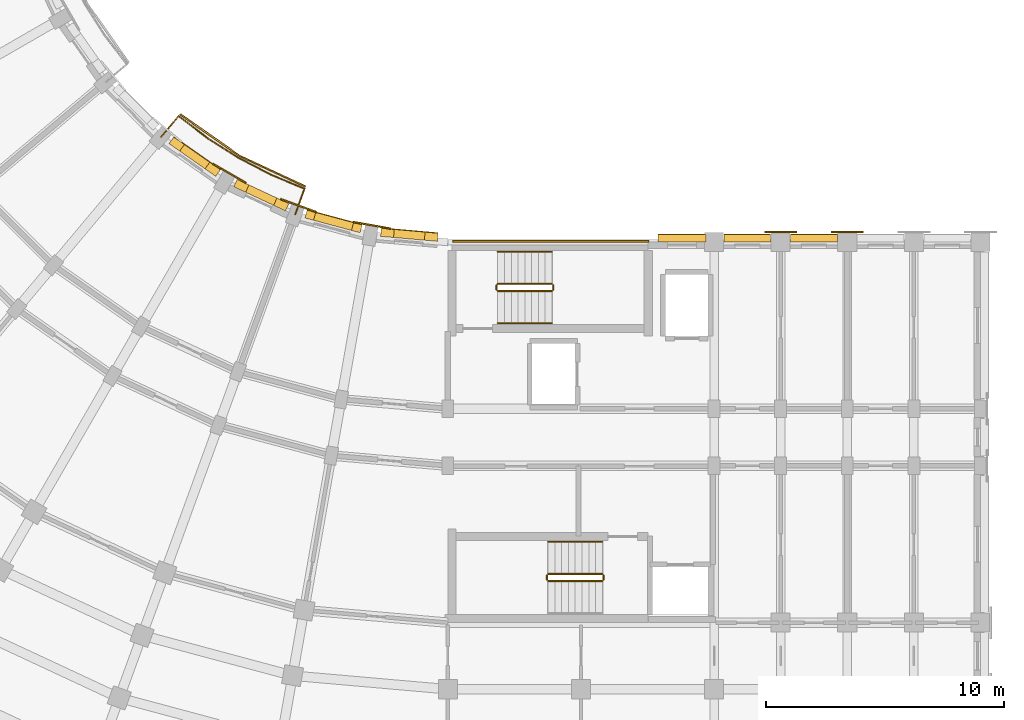
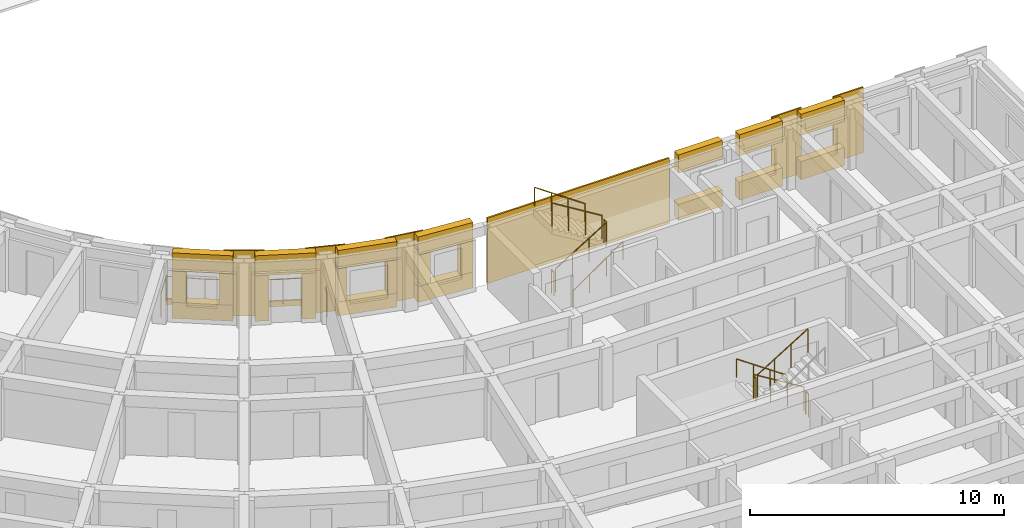
# One storey, part 61 of 76: 28 coverings, 12 railings.
"""IFC4 building model written with IfcOpenShell, lengths in metres."""

from ifc_helpers import new_model, si_unit, direction, frame, origin, origin_2d, place, context, subcontext, project, spatial, polyline, circle, outline, extrude, material, layer, layer_set, type_object, element, save


model = new_model("IFC4")

# Units and contexts
model_context = context("Model", 3, precision=1e-05, world=origin(), true_north=direction((0.0, 1.0)))
body_context = subcontext(model_context, "Body", "Model", "MODEL_VIEW")
ifc_project = project(units=[si_unit("LENGTHUNIT", "METRE"), si_unit("AREAUNIT", "SQUARE_METRE"), si_unit("VOLUMEUNIT", "CUBIC_METRE"), si_unit("PLANEANGLEUNIT", "RADIAN"), si_unit("MASSUNIT", "GRAM", prefix="KILO")], contexts=[model_context])

# Site, building, storey
site_placement = place(None, origin())
site = spatial("IfcSite", under=ifc_project, at=site_placement, CompositionType="ELEMENT")
building_placement = place(site_placement, origin())
building = spatial("IfcBuilding", under=site, at=building_placement, Name="Kiranvali Square Residences", CompositionType="ELEMENT")
storey_placement = place(building_placement, frame((0.0, 0.0, 8.699951171875)))
storey = spatial("IfcBuildingStorey", under=building, at=storey_placement, Name="L02", CompositionType="ELEMENT", Elevation=8.699951171875)

# Coverings
ifc_material_1 = material(Name="Carved Porbandar limestone classical entablature and cornice", Category="masonry")
ifc_layer_1 = layer(ifc_material_1, 0.06201171875)
ifc_layer_set_1 = layer_set([ifc_layer_1], Name="Carved Porbandar limestone classical entablature and cornice")
covering_type_1 = type_object("IfcCoveringType", Name="COV-CLAD-GBAL", PredefinedType="CLADDING", material=ifc_layer_set_1)
covering_1_placement = place(storey_placement, frame((0.0, 0.0, -0.219970703125)))
element("IfcCovering", 1, at=covering_1_placement, inside=storey, type_object=covering_type_1, Name="Block C L02 garden balcony limestone fascia 1", PredefinedType="CLADDING", context=body_context, shape_type="SweptSolid", body=[
    extrude(outline(polyline([(42.221435546875, 31.774169921875), (39.4599609375, 33.061767578125), (36.964111328125, 34.8095703125), (36.92041015625, 34.757568359375), (39.426025390625, 33.0029296875), (42.1982421875, 31.710205078125), (42.221435546875, 31.774169921875)])), origin(), (0.0, 0.0, 1.0), 0.27001953125),
])
ifc_material_2 = material(Name="Honed Porbandar limestone ashlar facade cladding", Category="masonry")
ifc_layer_2 = layer(ifc_material_2, 0.3798828125)
ifc_layer_set_2 = layer_set([ifc_layer_2], Name="Honed Porbandar limestone ashlar facade cladding")
covering_type_2 = type_object("IfcCoveringType", Name="COV-CLAD-JAMB", PredefinedType="CLADDING", material=ifc_layer_set_2)
covering_2_placement = place(storey_placement, frame((0.0, 0.0, 0.77197265625)))
element("IfcCovering", 2, at=covering_2_placement, inside=storey, type_object=covering_type_2, Name="L02 deep limestone window jamb reveal C-L02-GDN-00.L", PredefinedType="CLADDING", context=body_context, shape_type="SweptSolid", body=[
    extrude(outline(polyline([(47.791259765625, 29.777099609375), (47.244873046875, 29.824951171875), (47.21533203125, 29.486572265625), (47.76171875, 29.43896484375), (47.791259765625, 29.777099609375)])), origin(), (0.0, 0.0, 1.0), 1.5),
])
covering_3_placement = place(storey_placement, frame((0.0, 0.0, 0.77197265625)))
element("IfcCovering", 3, at=covering_3_placement, inside=storey, type_object=covering_type_2, Name="L02 deep limestone window jamb reveal C-L02-GDN-00.R", PredefinedType="CLADDING", context=body_context, shape_type="SweptSolid", body=[
    extrude(outline(polyline([(45.94970703125, 29.938232421875), (45.4033203125, 29.986083984375), (45.373779296875, 29.647705078125), (45.920166015625, 29.599853515625), (45.94970703125, 29.938232421875)])), origin(), (0.0, 0.0, 1.0), 1.5),
])
covering_4_placement = place(storey_placement, frame((0.0, 0.0, 0.672119140625)))
element("IfcCovering", 4, at=covering_4_placement, inside=storey, type_object=covering_type_2, Name="L02 deep limestone window jamb reveal C-L02-GDN-01.L", PredefinedType="CLADDING", context=body_context, shape_type="SweptSolid", body=[
    extrude(outline(polyline([(44.598388671875, 30.1279296875), (44.237548828125, 30.224609375), (44.149658203125, 29.896728515625), (44.510498046875, 29.800048828125), (44.598388671875, 30.1279296875)])), origin(), (0.0, 0.0, 1.0), 1.599853515625),
])
covering_5_placement = place(storey_placement, frame((0.0, 0.0, 0.672119140625)))
element("IfcCovering", 5, at=covering_5_placement, inside=storey, type_object=covering_type_2, Name="L02 deep limestone window jamb reveal C-L02-GDN-01.R", PredefinedType="CLADDING", context=body_context, shape_type="SweptSolid", body=[
    extrude(outline(polyline([(42.643798828125, 30.651611328125), (42.282958984375, 30.748291015625), (42.195068359375, 30.42041015625), (42.555908203125, 30.32373046875), (42.643798828125, 30.651611328125)])), origin(), (0.0, 0.0, 1.0), 1.599853515625),
])
covering_6_placement = place(storey_placement, origin())
element("IfcCovering", 6, at=covering_6_placement, inside=storey, type_object=covering_type_2, Name="L02 deep limestone window jamb reveal C-L02-GDN-02.L", PredefinedType="CLADDING", context=body_context, shape_type="SweptSolid", body=[
    extrude(outline(polyline([(41.514892578125, 31.02783203125), (41.017822265625, 31.259765625), (40.874267578125, 30.951904296875), (41.37158203125, 30.72021484375), (41.514892578125, 31.02783203125)])), origin(), (0.0, 0.0, 1.0), 2.179931640625),
])
covering_7_placement = place(storey_placement, origin())
element("IfcCovering", 7, at=covering_7_placement, inside=storey, type_object=covering_type_2, Name="L02 deep limestone window jamb reveal C-L02-GDN-02.R", PredefinedType="CLADDING", context=body_context, shape_type="SweptSolid", body=[
    extrude(outline(polyline([(39.839599609375, 31.80908203125), (39.342529296875, 32.041015625), (39.198974609375, 31.733154296875), (39.696044921875, 31.50146484375), (39.839599609375, 31.80908203125)])), origin(), (0.0, 0.0, 1.0), 2.179931640625),
])
covering_8_placement = place(storey_placement, frame((0.0, 0.0, 0.77197265625)))
element("IfcCovering", 8, at=covering_8_placement, inside=storey, type_object=covering_type_2, Name="L02 deep limestone window jamb reveal C-L02-GDN-03.L", PredefinedType="CLADDING", context=body_context, shape_type="SweptSolid", body=[
    extrude(outline(polyline([(38.634521484375, 32.44970703125), (38.185302734375, 32.76416015625), (37.990478515625, 32.486083984375), (38.43994140625, 32.171630859375), (38.634521484375, 32.44970703125)])), origin(), (0.0, 0.0, 1.0), 1.5),
])
covering_9_placement = place(storey_placement, frame((0.0, 0.0, 0.77197265625)))
element("IfcCovering", 9, at=covering_9_placement, inside=storey, type_object=covering_type_2, Name="L02 deep limestone window jamb reveal C-L02-GDN-03.R", PredefinedType="CLADDING", context=body_context, shape_type="SweptSolid", body=[
    extrude(outline(polyline([(37.120361328125, 33.509765625), (36.671142578125, 33.824462890625), (36.476318359375, 33.54638671875), (36.925537109375, 33.231689453125), (37.120361328125, 33.509765625)])), origin(), (0.0, 0.0, 1.0), 1.5),
])
ifc_layer_3 = layer(ifc_material_2, 0.06494140625)
ifc_layer_set_3 = layer_set([ifc_layer_3], Name="Honed Porbandar limestone ashlar facade cladding")
covering_type_3 = type_object("IfcCoveringType", Name="COV-CLAD-PIER", PredefinedType="CLADDING", material=ifc_layer_set_3)
covering_10_placement = place(storey_placement, frame((0.0, 0.0, 0.005126953125)))
element("IfcCovering", 10, at=covering_10_placement, inside=storey, type_object=covering_type_3, Name="Block C L02 garden stair limestone ashlar cladding", PredefinedType="CLADDING", context=body_context, shape_type="SweptSolid", body=[
    extrude(outline(polyline([(48.39990234375, 29.402099609375), (56.64990234375, 29.402099609375), (56.64990234375, 29.47998046875), (48.39990234375, 29.47998046875), (48.39990234375, 29.402099609375)])), origin(), (0.0, 0.0, 1.0), 3.139892578125),
])
ifc_layer_4 = layer(ifc_material_2, 0.050048828125)
ifc_layer_set_4 = layer_set([ifc_layer_4], Name="Honed Porbandar limestone ashlar facade cladding")
covering_type_4 = type_object("IfcCoveringType", Name="COV-CLAD-PIER-IN", PredefinedType="CLADDING", material=ifc_layer_set_4)
covering_11_placement = place(storey_placement, frame((0.0, 0.0, 0.005126953125)))
element("IfcCovering", 11, at=covering_11_placement, inside=storey, type_object=covering_type_4, Name="L02 Classical garden courtyard pilaster CLAD-PRIN-C-L02-A01", PredefinedType="CLADDING", context=body_context, shape_type="SweptSolid", body=[
    extrude(outline(polyline([(45.804443359375, 30.007568359375), (44.228759765625, 30.285400390625), (44.217041015625, 30.218994140625), (45.792724609375, 29.941162109375), (45.804443359375, 30.007568359375)])), origin(), (0.0, 0.0, 1.0), 3.139892578125),
])
covering_12_placement = place(storey_placement, frame((0.0, 0.0, 0.005126953125)))
element("IfcCovering", 12, at=covering_12_placement, inside=storey, type_object=covering_type_4, Name="L02 Classical garden courtyard pilaster CLAD-PRIN-C-L02-A02", PredefinedType="CLADDING", context=body_context, shape_type="SweptSolid", body=[
    extrude(outline(polyline([(42.681884765625, 30.699951171875), (41.17822265625, 31.2470703125), (41.1552734375, 31.183837890625), (42.65869140625, 30.636474609375), (42.681884765625, 30.699951171875)])), origin(), (0.0, 0.0, 1.0), 3.139892578125),
])
covering_13_placement = place(storey_placement, frame((0.0, 0.0, 0.005126953125)))
element("IfcCovering", 13, at=covering_13_placement, inside=storey, type_object=covering_type_4, Name="L02 Classical garden courtyard pilaster CLAD-PRIN-C-L02-A03", PredefinedType="CLADDING", context=body_context, shape_type="SweptSolid", body=[
    extrude(outline(polyline([(39.726806640625, 31.924072265625), (38.341064453125, 32.72412109375), (38.307373046875, 32.66552734375), (39.693115234375, 31.865478515625), (39.726806640625, 31.924072265625)])), origin(), (0.0, 0.0, 1.0), 3.139892578125),
])
covering_14_placement = place(storey_placement, frame((0.0, 0.0, 0.005126953125)))
element("IfcCovering", 14, at=covering_14_placement, inside=storey, type_object=covering_type_4, Name="L02 Classical limestone pilaster casing CLAD-PRA1I-C-L02-U140", PredefinedType="CLADDING", context=body_context, shape_type="SweptSolid", body=[
    extrude(outline(polyline([(61.52001953125, 29.800537109375), (62.8798828125, 29.800537109375), (62.8798828125, 29.867919921875), (61.52001953125, 29.867919921875), (61.52001953125, 29.800537109375)])), origin(), (0.0, 0.0, 1.0), 3.139892578125),
])
covering_15_placement = place(storey_placement, frame((0.0, 0.0, 0.005126953125)))
element("IfcCovering", 15, at=covering_15_placement, inside=storey, type_object=covering_type_4, Name="L02 Classical limestone pilaster casing CLAD-PRA1I-C-L02-U167", PredefinedType="CLADDING", context=body_context, shape_type="SweptSolid", body=[
    extrude(outline(polyline([(64.320068359375, 29.800537109375), (65.679931640625, 29.800537109375), (65.679931640625, 29.867919921875), (64.320068359375, 29.867919921875), (64.320068359375, 29.800537109375)])), origin(), (0.0, 0.0, 1.0), 3.139892578125),
])
ifc_layer_5 = layer(ifc_material_2, 0.360107421875)
ifc_layer_set_5 = layer_set([ifc_layer_5], Name="Honed Porbandar limestone ashlar facade cladding")
covering_type_5 = type_object("IfcCoveringType", Name="COV-CLAD-WALL", PredefinedType="CLADDING", material=ifc_layer_set_5)
covering_16_placement = place(storey_placement, frame((0.0, 0.0, 2.27197265625)))
element("IfcCovering", 16, at=covering_16_placement, inside=storey, type_object=covering_type_5, Name="L02 light limestone spandrel lintel C-L02-GDN-00", PredefinedType="CLADDING", context=body_context, shape_type="SweptSolid", body=[
    extrude(outline(polyline([(47.791259765625, 29.777099609375), (45.4033203125, 29.986083984375), (45.373779296875, 29.647705078125), (47.76171875, 29.43896484375), (47.791259765625, 29.777099609375)])), origin(), (0.0, 0.0, 1.0), 0.873046875),
])
covering_17_placement = place(storey_placement, frame((0.0, 0.0, 2.27197265625)))
element("IfcCovering", 17, at=covering_17_placement, inside=storey, type_object=covering_type_5, Name="L02 light limestone spandrel lintel C-L02-GDN-01", PredefinedType="CLADDING", context=body_context, shape_type="SweptSolid", body=[
    extrude(outline(polyline([(44.598388671875, 30.1279296875), (42.282958984375, 30.748291015625), (42.195068359375, 30.42041015625), (44.510498046875, 29.800048828125), (44.598388671875, 30.1279296875)])), origin(), (0.0, 0.0, 1.0), 0.873046875),
])
covering_18_placement = place(storey_placement, frame((0.0, 0.0, 2.179931640625)))
element("IfcCovering", 18, at=covering_18_placement, inside=storey, type_object=covering_type_5, Name="L02 light limestone spandrel lintel C-L02-GDN-02", PredefinedType="CLADDING", context=body_context, shape_type="SweptSolid", body=[
    extrude(outline(polyline([(41.514892578125, 31.02783203125), (39.342529296875, 32.041015625), (39.198974609375, 31.733154296875), (41.37158203125, 30.72021484375), (41.514892578125, 31.02783203125)])), origin(), (0.0, 0.0, 1.0), 0.965087890625),
])
covering_19_placement = place(storey_placement, frame((0.0, 0.0, 2.27197265625)))
element("IfcCovering", 19, at=covering_19_placement, inside=storey, type_object=covering_type_5, Name="L02 light limestone spandrel lintel C-L02-GDN-03", PredefinedType="CLADDING", context=body_context, shape_type="SweptSolid", body=[
    extrude(outline(polyline([(38.634521484375, 32.44970703125), (36.671142578125, 33.824462890625), (36.476318359375, 33.54638671875), (38.43994140625, 32.171630859375), (38.634521484375, 32.44970703125)])), origin(), (0.0, 0.0, 1.0), 0.873046875),
])
covering_20_placement = place(storey_placement, frame((0.0, 0.0, 2.27197265625)))
element("IfcCovering", 20, at=covering_20_placement, inside=storey, type_object=covering_type_5, Name="L02 light limestone spandrel lintel C-L02-A1IN-0", PredefinedType="CLADDING", context=body_context, shape_type="SweptSolid", body=[
    extrude(outline(polyline([(57.050048828125, 29.400390625), (59.050048828125, 29.400390625), (59.050048828125, 29.719970703125), (57.050048828125, 29.719970703125), (57.050048828125, 29.400390625)])), origin(), (0.0, 0.0, 1.0), 0.873046875),
])
covering_21_placement = place(storey_placement, frame((0.0, 0.0, 0.005126953125)))
element("IfcCovering", 21, at=covering_21_placement, inside=storey, type_object=covering_type_5, Name="L02 limestone window sill apron C-L02-A1IN-0", PredefinedType="CLADDING", context=body_context, shape_type="SweptSolid", body=[
    extrude(outline(polyline([(57.050048828125, 29.400390625), (59.050048828125, 29.400390625), (59.050048828125, 29.75), (57.050048828125, 29.75), (57.050048828125, 29.400390625)])), origin(), (0.0, 0.0, 1.0), 0.766845703125),
])
covering_22_placement = place(storey_placement, frame((0.0, 0.0, 2.130126953125)))
element("IfcCovering", 22, at=covering_22_placement, inside=storey, type_object=covering_type_5, Name="L02 light limestone spandrel lintel C-L02-A1I-0", PredefinedType="CLADDING", context=body_context, shape_type="SweptSolid", body=[
    extrude(outline(polyline([(59.820068359375, 29.400390625), (61.780029296875, 29.400390625), (61.780029296875, 29.719970703125), (59.820068359375, 29.719970703125), (59.820068359375, 29.400390625)])), origin(), (0.0, 0.0, 1.0), 1.014892578125),
])
covering_23_placement = place(storey_placement, frame((0.0, 0.0, 0.005126953125)))
element("IfcCovering", 23, at=covering_23_placement, inside=storey, type_object=covering_type_5, Name="L02 limestone window sill apron C-L02-A1I-0", PredefinedType="CLADDING", context=body_context, shape_type="SweptSolid", body=[
    extrude(outline(polyline([(59.820068359375, 29.400390625), (61.780029296875, 29.400390625), (61.780029296875, 29.75), (59.820068359375, 29.75), (59.820068359375, 29.400390625)])), origin(), (0.0, 0.0, 1.0), 0.875),
])
covering_24_placement = place(storey_placement, frame((0.0, 0.0, 2.130126953125)))
element("IfcCovering", 24, at=covering_24_placement, inside=storey, type_object=covering_type_5, Name="L02 light limestone spandrel lintel C-L02-A1I-1", PredefinedType="CLADDING", context=body_context, shape_type="SweptSolid", body=[
    extrude(outline(polyline([(62.6201171875, 29.400390625), (64.580078125, 29.400390625), (64.580078125, 29.719970703125), (62.6201171875, 29.719970703125), (62.6201171875, 29.400390625)])), origin(), (0.0, 0.0, 1.0), 1.014892578125),
])
covering_25_placement = place(storey_placement, frame((0.0, 0.0, 0.005126953125)))
element("IfcCovering", 25, at=covering_25_placement, inside=storey, type_object=covering_type_5, Name="L02 limestone window sill apron C-L02-A1I-1", PredefinedType="CLADDING", context=body_context, shape_type="SweptSolid", body=[
    extrude(outline(polyline([(62.6201171875, 29.400390625), (64.580078125, 29.400390625), (64.580078125, 29.75), (62.6201171875, 29.75), (62.6201171875, 29.400390625)])), origin(), (0.0, 0.0, 1.0), 0.875),
])
ifc_layer_6 = layer(ifc_material_2, 0.2900390625)
ifc_layer_set_6 = layer_set([ifc_layer_6], Name="Honed Porbandar limestone ashlar facade cladding")
covering_type_6 = type_object("IfcCoveringType", Name="COV-CLAD-WALL-IN", PredefinedType="CLADDING", material=ifc_layer_set_6)
covering_26_placement = place(storey_placement, frame((0.0, 0.0, 0.005126953125)))
element("IfcCovering", 26, at=covering_26_placement, inside=storey, type_object=covering_type_6, Name="L02 limestone window sill apron C-L02-GDN-00", PredefinedType="CLADDING", context=body_context, shape_type="SweptSolid", body=[
    extrude(outline(polyline([(47.7939453125, 29.806884765625), (45.406005859375, 30.015869140625), (45.373779296875, 29.647705078125), (47.76171875, 29.43896484375), (47.7939453125, 29.806884765625)])), origin(), (0.0, 0.0, 1.0), 0.766845703125),
])
covering_27_placement = place(storey_placement, frame((0.0, 0.0, 0.005126953125)))
element("IfcCovering", 27, at=covering_27_placement, inside=storey, type_object=covering_type_6, Name="L02 limestone window sill apron C-L02-GDN-01", PredefinedType="CLADDING", context=body_context, shape_type="SweptSolid", body=[
    extrude(outline(polyline([(44.606201171875, 30.156982421875), (42.290771484375, 30.77734375), (42.195068359375, 30.42041015625), (44.510498046875, 29.800048828125), (44.606201171875, 30.156982421875)])), origin(), (0.0, 0.0, 1.0), 0.6669921875),
])
covering_28_placement = place(storey_placement, frame((0.0, 0.0, 0.005126953125)))
element("IfcCovering", 28, at=covering_28_placement, inside=storey, type_object=covering_type_6, Name="L02 limestone window sill apron C-L02-GDN-03", PredefinedType="CLADDING", context=body_context, shape_type="SweptSolid", body=[
    extrude(outline(polyline([(38.65185546875, 32.47412109375), (36.688232421875, 33.84912109375), (36.476318359375, 33.54638671875), (38.43994140625, 32.171630859375), (38.65185546875, 32.47412109375)])), origin(), (0.0, 0.0, 1.0), 0.766845703125),
])

# Railings
ifc_material_3 = material(Name="Powder-coated architectural bronze balustrade", Category="steel")
railing_type_1 = type_object("IfcRailingType", Name="RL-BAL-GOLD-1200", PredefinedType="BALUSTRADE", material=ifc_material_3)
railing_1_placement = place(storey_placement, frame((41.78369140625, 30.5712890625, 0.0)))
element("IfcRailing", 29, at=railing_1_placement, inside=storey, type_object=railing_type_1, Name="Block C L02 garden balcony gold balustrade 1", PredefinedType="BALUSTRADE", context=body_context, shape_type="SweptSolid", body=[
    extrude(circle(Radius=0.02392578125, at=origin_2d()), frame((0.0, 0.0, 1.17578125), z_axis=(0.341964618562, 0.939712828289, 0.0), x_axis=(-0.939712828289, 0.341964618562, 0.0)), (0.0, 0.0, 1.0), 1.150146484375),
    extrude(circle(Radius=0.02392578125, at=origin_2d()), frame((0.393310546875, 1.080810546875, 1.17578125), z_axis=(-0.923892883829, 0.382651197843, 0.0), x_axis=(-0.382651197843, -0.923892883829, 0.0)), (0.0, 0.0, 1.0), 1.536376953125),
    extrude(circle(Radius=0.02392578125, at=origin_2d()), frame((-1.026123046875, 1.668701171875, 1.17578125), z_axis=(-0.887029366154, 0.461713009976, 0.0), x_axis=(-0.461713009976, -0.887029366154, 0.0)), (0.0, 0.0, 1.0), 1.5361328125),
    extrude(circle(Radius=0.02392578125, at=origin_2d()), frame((-2.388671875, 2.3779296875, 1.17578125), z_axis=(-0.843386539688, 0.537307309343, 0.0), x_axis=(-0.537307309343, -0.843386539688, 0.0)), (0.0, 0.0, 1.0), 1.5361328125),
    extrude(circle(Radius=0.02392578125, at=origin_2d()), frame((-3.684326171875, 3.203369140625, 1.17578125), z_axis=(-0.793314680996, 0.608811807471, 0.0), x_axis=(-0.608811807471, -0.793314680996, 0.0)), (0.0, 0.0, 1.0), 1.536376953125),
    extrude(circle(Radius=0.02392578125, at=origin_2d()), frame((-4.903076171875, 4.138671875, 1.17578125), z_axis=(-0.642853454051, -0.765989188314, 0.0), x_axis=(0.765989188314, -0.642853454051, 0.0)), (0.0, 0.0, 1.0), 1.14990234375),
    extrude(circle(Radius=0.02099609375, at=origin_2d()), origin(), (0.0, 0.0, 1.0), 1.15185546875),
    extrude(circle(Radius=0.02099609375, at=origin_2d()), frame((0.393310546875, 1.080810546875, 0.0)), (0.0, 0.0, 1.0), 1.15185546875),
    extrude(circle(Radius=0.02099609375, at=origin_2d()), frame((-0.31640625, 1.374755859375, 0.0)), (0.0, 0.0, 1.0), 1.15185546875),
    extrude(circle(Radius=0.02099609375, at=origin_2d()), frame((-1.026123046875, 1.668701171875, 0.0)), (0.0, 0.0, 1.0), 1.15185546875),
    extrude(circle(Radius=0.02099609375, at=origin_2d()), frame((-1.70751953125, 2.0234375, 0.0)), (0.0, 0.0, 1.0), 1.15185546875),
    extrude(circle(Radius=0.02099609375, at=origin_2d()), frame((-2.388671875, 2.3779296875, 0.0)), (0.0, 0.0, 1.0), 1.15185546875),
    extrude(circle(Radius=0.02099609375, at=origin_2d()), frame((-3.03662109375, 2.79052734375, 0.0)), (0.0, 0.0, 1.0), 1.15185546875),
    extrude(circle(Radius=0.02099609375, at=origin_2d()), frame((-3.684326171875, 3.203369140625, 0.0)), (0.0, 0.0, 1.0), 1.15185546875),
    extrude(circle(Radius=0.02099609375, at=origin_2d()), frame((-4.293701171875, 3.6708984375, 0.0)), (0.0, 0.0, 1.0), 1.15185546875),
    extrude(circle(Radius=0.02099609375, at=origin_2d()), frame((-4.903076171875, 4.138671875, 0.0)), (0.0, 0.0, 1.0), 1.15185546875),
    extrude(circle(Radius=0.02099609375, at=origin_2d()), frame((-5.642333984375, 3.2578125, 0.0)), (0.0, 0.0, 1.0), 1.15185546875),
])
ifc_material_4 = material(Name="Brushed stainless steel tubular handrail", Category="steel")
railing_type_2 = type_object("IfcRailingType", Name="RL-HANDRAIL-900", PredefinedType="HANDRAIL", material=ifc_material_4)
railing_2_placement = place(storey_placement, frame((54.699951171875, 16.800048828125, 0.175048828125)))
element("IfcRailing", 30, at=railing_2_placement, inside=storey, type_object=railing_type_2, Name="L02 ST-C1 stair handrail 1", PredefinedType="HANDRAIL", context=body_context, shape_type="SweptSolid", body=[
    extrude(circle(Radius=0.02392578125, at=origin_2d()), frame((0.0, 0.0, 0.8759765625), z_axis=(-0.82278801735, 0.0, 0.568348377763), x_axis=(0.0, -1.0, 0.0)), (0.0, 0.0, 1.0), 2.77099609375),
    extrude(circle(Radius=0.02099609375, at=origin_2d()), origin(), (0.0, 0.0, 1.0), 0.851806640625),
    extrude(circle(Radius=0.02099609375, at=origin_2d()), frame((-0.760009765625, 0.0, 0.52490234375)), (0.0, 0.0, 1.0), 0.851806640625),
    extrude(circle(Radius=0.02099609375, at=origin_2d()), frame((-1.52001953125, 0.0, 1.050048828125)), (0.0, 0.0, 1.0), 0.851806640625),
    extrude(circle(Radius=0.02099609375, at=origin_2d()), frame((-2.280029296875, 0.0, 1.574951171875)), (0.0, 0.0, 1.0), 0.851806640625),
])
railing_3_placement = place(storey_placement, frame((50.300048828125, 26.0, 0.175048828125)))
element("IfcRailing", 31, at=railing_3_placement, inside=storey, type_object=railing_type_2, Name="L02 ST-C2 stair handrail 1", PredefinedType="HANDRAIL", context=body_context, shape_type="SweptSolid", body=[
    extrude(circle(Radius=0.02392578125, at=origin_2d()), frame((0.0, 0.0, 0.8759765625), z_axis=(0.82278801735, 0.0, 0.568348377763), x_axis=(0.0, 1.0, 0.0)), (0.0, 0.0, 1.0), 2.77099609375),
    extrude(circle(Radius=0.02099609375, at=origin_2d()), origin(), (0.0, 0.0, 1.0), 0.851806640625),
    extrude(circle(Radius=0.02099609375, at=origin_2d()), frame((0.760009765625, 0.0, 0.52490234375)), (0.0, 0.0, 1.0), 0.851806640625),
    extrude(circle(Radius=0.02099609375, at=origin_2d()), frame((1.52001953125, 0.0, 1.050048828125)), (0.0, 0.0, 1.0), 0.851806640625),
    extrude(circle(Radius=0.02099609375, at=origin_2d()), frame((2.280029296875, 0.0, 1.574951171875)), (0.0, 0.0, 1.0), 0.851806640625),
])
railing_4_placement = place(storey_placement, frame((52.580078125, 29.0, 1.75)))
element("IfcRailing", 32, at=railing_4_placement, inside=storey, type_object=railing_type_2, Name="L02 ST-C2 stair handrail 2", PredefinedType="HANDRAIL", context=body_context, shape_type="SweptSolid", body=[
    extrude(circle(Radius=0.02392578125, at=origin_2d()), frame((0.0, 0.0, 0.8759765625), z_axis=(-0.82278801735, 0.0, 0.568348377763), x_axis=(0.0, -1.0, 0.0)), (0.0, 0.0, 1.0), 2.77099609375),
    extrude(circle(Radius=0.02099609375, at=origin_2d()), origin(), (0.0, 0.0, 1.0), 0.851806640625),
    extrude(circle(Radius=0.02099609375, at=origin_2d()), frame((-0.760009765625, 0.0, 0.52490234375)), (0.0, 0.0, 1.0), 0.851806640625),
    extrude(circle(Radius=0.02099609375, at=origin_2d()), frame((-1.52001953125, 0.0, 1.050048828125)), (0.0, 0.0, 1.0), 0.851806640625),
    extrude(circle(Radius=0.02099609375, at=origin_2d()), frame((-2.280029296875, 0.0, 1.574951171875)), (0.0, 0.0, 1.0), 0.851806640625),
])
railing_type_3 = type_object("IfcRailingType", Name="RL-ST-GUARD-1200", PredefinedType="GUARDRAIL", material=ifc_material_3)
railing_5_placement = place(storey_placement, frame((54.699951171875, 15.449951171875, 0.175048828125)))
element("IfcRailing", 33, at=railing_5_placement, inside=storey, type_object=railing_type_3, Name="L02 ST-C1 stair guard 1", PredefinedType="GUARDRAIL", context=body_context, shape_type="SweptSolid", body=[
    extrude(circle(Radius=0.02392578125, at=origin_2d()), frame((0.0, 0.0, 1.1259765625), z_axis=(-0.852190499154, 0.0, 0.523231643875), x_axis=(0.0, -1.0, 0.0)), (0.0, 0.0, 1.0), 2.675537109375),
    extrude(circle(Radius=0.02099609375, at=origin_2d()), origin(), (0.0, 0.0, 1.0), 1.101806640625),
    extrude(circle(Radius=0.02099609375, at=origin_2d()), frame((-0.760009765625, 0.0, 0.466552734375)), (0.0, 0.0, 1.0), 1.101806640625),
    extrude(circle(Radius=0.02099609375, at=origin_2d()), frame((-1.52001953125, 0.0, 0.933349609375)), (0.0, 0.0, 1.0), 1.101806640625),
    extrude(circle(Radius=0.02099609375, at=origin_2d()), frame((-2.280029296875, 0.0, 1.39990234375)), (0.0, 0.0, 1.0), 1.101806640625),
])
railing_6_placement = place(storey_placement, frame((52.3701171875, 15.39990234375, 1.574951171875)))
element("IfcRailing", 34, at=railing_6_placement, inside=storey, type_object=railing_type_3, Name="L02 ST-C1 stair guard 2", PredefinedType="GUARDRAIL", context=body_context, shape_type="SweptSolid", body=[
    extrude(circle(Radius=0.02392578125, at=origin_2d()), frame((0.0, 0.0, 1.1259765625), z_axis=(0.0, -1.0, 0.0), x_axis=(1.0, 0.0, 0.0)), (0.0, 0.0, 1.0), 0.199951171875),
    extrude(circle(Radius=0.02099609375, at=origin_2d()), origin(), (0.0, 0.0, 1.0), 1.101806640625),
    extrude(circle(Radius=0.02099609375, at=origin_2d()), frame((0.0, -0.199951171875, 0.0)), (0.0, 0.0, 1.0), 1.101806640625),
])
railing_7_placement = place(storey_placement, frame((52.419921875, 15.14990234375, 1.75)))
element("IfcRailing", 35, at=railing_7_placement, inside=storey, type_object=railing_type_3, Name="L02 ST-C1 stair guard 3", PredefinedType="GUARDRAIL", context=body_context, shape_type="SweptSolid", body=[
    extrude(circle(Radius=0.02392578125, at=origin_2d()), frame((0.0, 0.0, 1.1259765625), z_axis=(0.852149810458, 0.0, 0.523297908018), x_axis=(0.0, 1.0, 0.0)), (0.0, 0.0, 1.0), 2.675537109375),
    extrude(circle(Radius=0.02099609375, at=origin_2d()), origin(), (0.0, 0.0, 1.0), 1.101806640625),
    extrude(circle(Radius=0.02099609375, at=origin_2d()), frame((0.760009765625, 0.0, 0.466796875)), (0.0, 0.0, 1.0), 1.101806640625),
    extrude(circle(Radius=0.02099609375, at=origin_2d()), frame((1.52001953125, 0.0, 0.933349609375)), (0.0, 0.0, 1.0), 1.101806640625),
    extrude(circle(Radius=0.02099609375, at=origin_2d()), frame((2.280029296875, 0.0, 1.400146484375)), (0.0, 0.0, 1.0), 1.101806640625),
])
railing_8_placement = place(storey_placement, frame((54.75, 15.39990234375, 0.0)))
element("IfcRailing", 36, at=railing_8_placement, inside=storey, type_object=railing_type_3, Name="L02 ST-C1 stair guard 4", PredefinedType="GUARDRAIL", context=body_context, shape_type="SweptSolid", body=[
    extrude(circle(Radius=0.02392578125, at=origin_2d()), frame((0.0, 0.0, 1.1259765625), z_axis=(0.0, -1.0, 0.0), x_axis=(1.0, 0.0, 0.0)), (0.0, 0.0, 1.0), 0.199951171875),
    extrude(circle(Radius=0.02099609375, at=origin_2d()), origin(), (0.0, 0.0, 1.0), 1.101806640625),
    extrude(circle(Radius=0.02099609375, at=origin_2d()), frame((0.0, -0.199951171875, 0.0)), (0.0, 0.0, 1.0), 1.101806640625),
])
railing_9_placement = place(storey_placement, frame((50.300048828125, 27.35009765625, 0.175048828125)))
element("IfcRailing", 37, at=railing_9_placement, inside=storey, type_object=railing_type_3, Name="L02 ST-C2 stair guard 1", PredefinedType="GUARDRAIL", context=body_context, shape_type="SweptSolid", body=[
    extrude(circle(Radius=0.02392578125, at=origin_2d()), frame((0.0, 0.0, 1.1259765625), z_axis=(0.852190499154, 0.0, 0.523231643875), x_axis=(0.0, 1.0, 0.0)), (0.0, 0.0, 1.0), 2.675537109375),
    extrude(circle(Radius=0.02099609375, at=origin_2d()), origin(), (0.0, 0.0, 1.0), 1.101806640625),
    extrude(circle(Radius=0.02099609375, at=origin_2d()), frame((0.760009765625, 0.0, 0.466552734375)), (0.0, 0.0, 1.0), 1.101806640625),
    extrude(circle(Radius=0.02099609375, at=origin_2d()), frame((1.52001953125, 0.0, 0.933349609375)), (0.0, 0.0, 1.0), 1.101806640625),
    extrude(circle(Radius=0.02099609375, at=origin_2d()), frame((2.280029296875, 0.0, 1.39990234375)), (0.0, 0.0, 1.0), 1.101806640625),
])
railing_10_placement = place(storey_placement, frame((52.6298828125, 27.39990234375, 1.574951171875)))
element("IfcRailing", 38, at=railing_10_placement, inside=storey, type_object=railing_type_3, Name="L02 ST-C2 stair guard 2", PredefinedType="GUARDRAIL", context=body_context, shape_type="SweptSolid", body=[
    extrude(circle(Radius=0.02392578125, at=origin_2d()), frame((0.0, 0.0, 1.1259765625), z_axis=(0.0, 1.0, 0.0), x_axis=(-1.0, 0.0, 0.0)), (0.0, 0.0, 1.0), 0.2001953125),
    extrude(circle(Radius=0.02099609375, at=origin_2d()), origin(), (0.0, 0.0, 1.0), 1.101806640625),
    extrude(circle(Radius=0.02099609375, at=origin_2d()), frame((0.0, 0.2001953125, 0.0)), (0.0, 0.0, 1.0), 1.101806640625),
])
railing_11_placement = place(storey_placement, frame((52.580078125, 27.64990234375, 1.75)))
element("IfcRailing", 39, at=railing_11_placement, inside=storey, type_object=railing_type_3, Name="L02 ST-C2 stair guard 3", PredefinedType="GUARDRAIL", context=body_context, shape_type="SweptSolid", body=[
    extrude(circle(Radius=0.02392578125, at=origin_2d()), frame((0.0, 0.0, 1.1259765625), z_axis=(-0.852149810458, 0.0, 0.523297908018), x_axis=(0.0, -1.0, 0.0)), (0.0, 0.0, 1.0), 2.675537109375),
    extrude(circle(Radius=0.02099609375, at=origin_2d()), origin(), (0.0, 0.0, 1.0), 1.101806640625),
    extrude(circle(Radius=0.02099609375, at=origin_2d()), frame((-0.760009765625, 0.0, 0.466796875)), (0.0, 0.0, 1.0), 1.101806640625),
    extrude(circle(Radius=0.02099609375, at=origin_2d()), frame((-1.52001953125, 0.0, 0.933349609375)), (0.0, 0.0, 1.0), 1.101806640625),
    extrude(circle(Radius=0.02099609375, at=origin_2d()), frame((-2.280029296875, 0.0, 1.400146484375)), (0.0, 0.0, 1.0), 1.101806640625),
])
railing_12_placement = place(storey_placement, frame((50.25, 27.39990234375, 0.0)))
element("IfcRailing", 40, at=railing_12_placement, inside=storey, type_object=railing_type_3, Name="L02 ST-C2 stair guard 4", PredefinedType="GUARDRAIL", context=body_context, shape_type="SweptSolid", body=[
    extrude(circle(Radius=0.02392578125, at=origin_2d()), frame((0.0, 0.0, 1.1259765625), z_axis=(0.0, 1.0, 0.0), x_axis=(-1.0, 0.0, 0.0)), (0.0, 0.0, 1.0), 0.2001953125),
    extrude(circle(Radius=0.02099609375, at=origin_2d()), origin(), (0.0, 0.0, 1.0), 1.101806640625),
    extrude(circle(Radius=0.02099609375, at=origin_2d()), frame((0.0, 0.2001953125, 0.0)), (0.0, 0.0, 1.0), 1.101806640625),
])

save(model, "model.ifc")
